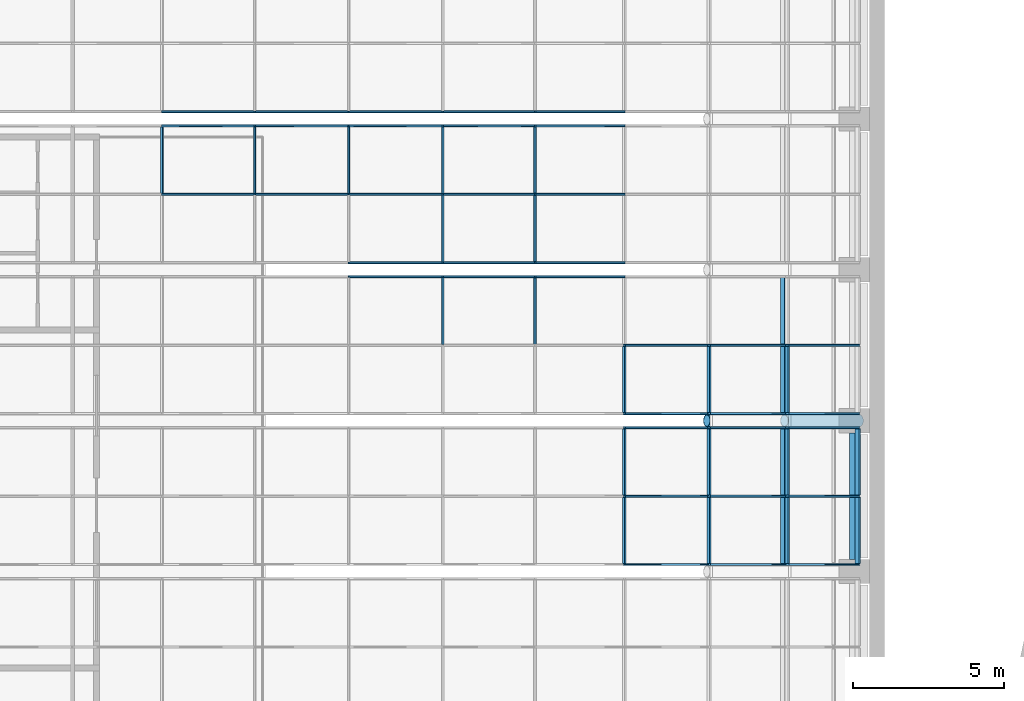
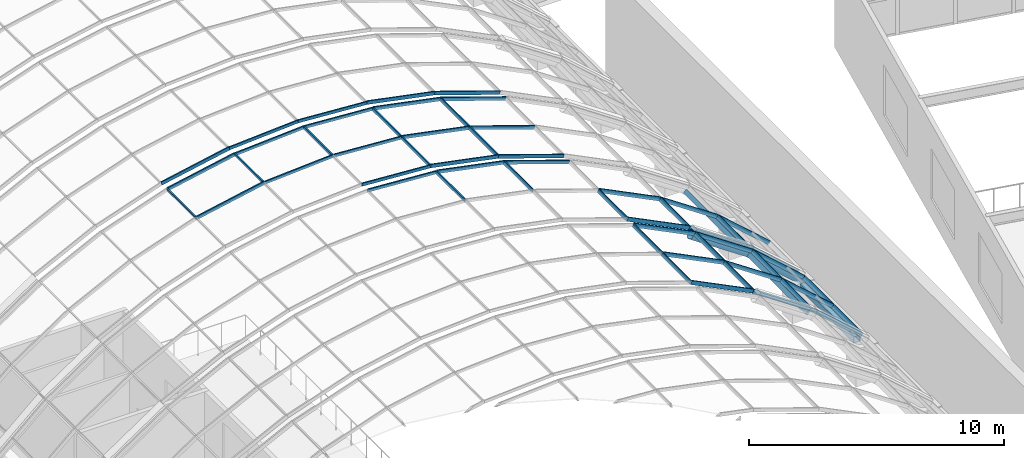
# One storey, part 53 of 182: 60 members, 1 beam, 4 elements without a shape of their own.
"""IFC4 building model written with IfcOpenShell, lengths in metres."""

from ifc_helpers import new_model, si_unit, direction, frame, origin, origin_2d, place, context, subcontext, project, spatial, rectangle, hollow_rectangle, hollow_circle, extrude, material, material_profile, profile_set, type_object, element, aggregate, save


model = new_model("IFC4")

# Units and contexts
model_context = context("Model", 3, precision=1e-05, world=origin(), true_north=direction((0.0, 1.0)))
body_context = subcontext(model_context, "Body", "Model", "MODEL_VIEW")
ifc_project = project(units=[si_unit("LENGTHUNIT", "METRE"), si_unit("AREAUNIT", "SQUARE_METRE"), si_unit("VOLUMEUNIT", "CUBIC_METRE"), si_unit("PLANEANGLEUNIT", "RADIAN"), si_unit("MASSUNIT", "GRAM", prefix="KILO")], contexts=[model_context])

# Site, building, storey
site_placement = place(None, origin())
site = spatial("IfcSite", under=ifc_project, at=site_placement, CompositionType="ELEMENT")
building_placement = place(site_placement, origin())
building = spatial("IfcBuilding", under=site, at=building_placement, Name="Okhra Congress Centre", CompositionType="ELEMENT")
storey_placement = place(building_placement, frame((0.0, 0.0, 7.199951171875)))
storey = spatial("IfcBuildingStorey", under=building, at=storey_placement, Name="L01", CompositionType="ELEMENT", Elevation=7.199951171875)

# Curtain wall, member
ifc_material_1 = material(Name="Aluminium frame with triple glazing", Category="aluminium")
curtain_wall_type = type_object("IfcCurtainWallType", Name="Glazed vault bay curtain wall", PredefinedType="NOTDEFINED", material=ifc_material_1)
curtain_wall_1_placement = place(storey_placement, origin())
curtain_wall_1 = element("IfcCurtainWall", 1, at=curtain_wall_1_placement, inside=storey, type_object=curtain_wall_type, Name="Vault glazing bay 11", PredefinedType="NOTDEFINED")
ifc_material_2 = material(Name="Aluminium alloy 6063", Category="aluminium")
ifc_material_profile_1 = material_profile(ifc_material_2, rectangle(XDim=0.06005859375, YDim=0.139892578125, at=origin_2d()), Name="AL 60x140")
ifc_profile_set_1 = profile_set([ifc_material_profile_1], Name="Aluminium alloy 6063")
member_type_1 = type_object("IfcMemberType", Name="Aluminium mullion 60x140", PredefinedType="MULLION", material=ifc_profile_set_1)
member_1_placement = place(storey_placement, frame((172.25, 130.766845703125, 8.945068359375), z_axis=(0.997826129775, 0.0, -0.065901553385), x_axis=(0.0, 1.0, 0.0)))
member_1 = element("IfcMember", 2, at=member_1_placement, type_object=member_type_1, Name="Vault mullion 11.3.7", PredefinedType="MULLION", context=body_context, shape_type="SweptSolid", body=[
    extrude(rectangle(XDim=0.06005859375, YDim=0.139892578125, at=origin_2d()), origin(), (0.0, 0.0, 1.0), 3.123046875),
])

# Curtain wall, members
curtain_wall_2_placement = place(storey_placement, origin())
curtain_wall_2 = element("IfcCurtainWall", 3, at=curtain_wall_2_placement, inside=storey, type_object=curtain_wall_type, Name="Vault glazing bay 12", PredefinedType="NOTDEFINED")
member_2_placement = place(storey_placement, frame((172.25, 131.233154296875, 8.945068359375), z_axis=(0.997826129775, 0.0, -0.065901553385), x_axis=(0.0, 1.0, 0.0)))
member_2 = element("IfcMember", 4, at=member_2_placement, type_object=member_type_1, Name="Vault mullion 12.1.7", PredefinedType="MULLION", context=body_context, shape_type="SweptSolid", body=[
    extrude(rectangle(XDim=0.06005859375, YDim=0.139892578125, at=origin_2d()), origin(), (0.0, 0.0, 1.0), 3.123046875),
])
member_3_placement = place(storey_placement, frame((169.1337890625, 133.5, 8.7392578125), z_axis=(0.997826129775, 0.0, 0.065901553385), x_axis=(0.0, 1.0, 0.0)))
member_3 = element("IfcMember", 5, at=member_3_placement, type_object=member_type_1, Name="Vault mullion 12.2.6", PredefinedType="MULLION", context=body_context, shape_type="SweptSolid", body=[
    extrude(rectangle(XDim=0.06005859375, YDim=0.139892578125, at=origin_2d()), origin(), (0.0, 0.0, 1.0), 3.123046875),
])
member_4_placement = place(storey_placement, frame((172.25, 133.5, 8.945068359375), z_axis=(0.997826129775, 0.0, -0.065901553385), x_axis=(0.0, 1.0, 0.0)))
member_4 = element("IfcMember", 6, at=member_4_placement, type_object=member_type_1, Name="Vault mullion 12.2.7", PredefinedType="MULLION", context=body_context, shape_type="SweptSolid", body=[
    extrude(rectangle(XDim=0.06005859375, YDim=0.139892578125, at=origin_2d()), origin(), (0.0, 0.0, 1.0), 3.123046875),
])
member_5_placement = place(storey_placement, frame((169.1337890625, 135.766845703125, 8.7392578125), z_axis=(0.997826129775, 0.0, 0.065901553385), x_axis=(0.0, 1.0, 0.0)))
member_5 = element("IfcMember", 7, at=member_5_placement, type_object=member_type_1, Name="Vault mullion 12.3.6", PredefinedType="MULLION", context=body_context, shape_type="SweptSolid", body=[
    extrude(rectangle(XDim=0.06005859375, YDim=0.139892578125, at=origin_2d()), origin(), (0.0, 0.0, 1.0), 3.123046875),
])
member_6_placement = place(storey_placement, frame((172.25, 135.766845703125, 8.945068359375), z_axis=(0.997826129775, 0.0, -0.065901553385), x_axis=(0.0, 1.0, 0.0)))
member_6 = element("IfcMember", 8, at=member_6_placement, type_object=member_type_1, Name="Vault mullion 12.3.7", PredefinedType="MULLION", context=body_context, shape_type="SweptSolid", body=[
    extrude(rectangle(XDim=0.06005859375, YDim=0.139892578125, at=origin_2d()), origin(), (0.0, 0.0, 1.0), 3.123046875),
])

curtain_wall_3_placement = place(storey_placement, origin())
curtain_wall_3 = element("IfcCurtainWall", 9, at=curtain_wall_3_placement, inside=storey, type_object=curtain_wall_type, Name="Vault glazing bay 13", PredefinedType="NOTDEFINED")
member_7_placement = place(storey_placement, frame((169.1337890625, 136.233154296875, 8.7392578125), z_axis=(0.997826129775, 0.0, 0.065901553385), x_axis=(0.0, 1.0, 0.0)))
member_7 = element("IfcMember", 10, at=member_7_placement, type_object=member_type_1, Name="Vault mullion 13.1.6", PredefinedType="MULLION", context=body_context, shape_type="SweptSolid", body=[
    extrude(rectangle(XDim=0.06005859375, YDim=0.139892578125, at=origin_2d()), origin(), (0.0, 0.0, 1.0), 3.123046875),
])
member_8_placement = place(storey_placement, frame((172.25, 136.233154296875, 8.945068359375), z_axis=(0.997826129775, 0.0, -0.065901553385), x_axis=(0.0, 1.0, 0.0)))
member_8 = element("IfcMember", 11, at=member_8_placement, type_object=member_type_1, Name="Vault mullion 13.1.7", PredefinedType="MULLION", context=body_context, shape_type="SweptSolid", body=[
    extrude(rectangle(XDim=0.06005859375, YDim=0.139892578125, at=origin_2d()), origin(), (0.0, 0.0, 1.0), 3.123046875),
])

# Member
ifc_material_profile_2 = material_profile(ifc_material_2, rectangle(XDim=0.06005859375, YDim=0.159912109375, at=origin_2d()), Name="AL 60x160")
ifc_profile_set_2 = profile_set([ifc_material_profile_2], Name="Aluminium alloy 6063")
member_type_2 = type_object("IfcMemberType", Name="Aluminium mullion 60x160", PredefinedType="MULLION", material=ifc_profile_set_2)
member_9_placement = place(storey_placement, frame((175.367431640625, 130.766845703125, 8.7490234375), z_axis=(0.980484387086, 0.0, -0.196596965087), x_axis=(0.0, 1.0, 0.0)))
member_9 = element("IfcMember", 12, at=member_9_placement, type_object=member_type_2, Name="Vault mullion 11.3.8", PredefinedType="MULLION", context=body_context, shape_type="SweptSolid", body=[
    extrude(rectangle(XDim=0.06005859375, YDim=0.159912109375, at=origin_2d()), origin(), (0.0, 0.0, 1.0), 3.12451171875),
])

member_10_placement = place(storey_placement, frame((178.430908203125, 130.766845703125, 8.134765625), z_axis=(0.946065064306, 0.0, -0.323976687587), x_axis=(0.0, 1.0, 0.0)))
member_10 = element("IfcMember", 13, at=member_10_placement, type_object=member_type_2, Name="Vault mullion 11.3.9", PredefinedType="MULLION", context=body_context, shape_type="SweptSolid", body=[
    extrude(rectangle(XDim=0.06005859375, YDim=0.159912109375, at=origin_2d()), origin(), (0.0, 0.0, 1.0), 3.124267578125),
])

member_11_placement = place(storey_placement, frame((175.367431640625, 131.233154296875, 8.7490234375), z_axis=(0.980484387086, 0.0, -0.196596965087), x_axis=(0.0, 1.0, 0.0)))
member_11 = element("IfcMember", 14, at=member_11_placement, type_object=member_type_2, Name="Vault mullion 12.1.8", PredefinedType="MULLION", context=body_context, shape_type="SweptSolid", body=[
    extrude(rectangle(XDim=0.06005859375, YDim=0.159912109375, at=origin_2d()), origin(), (0.0, 0.0, 1.0), 3.12451171875),
])

member_12_placement = place(storey_placement, frame((178.430908203125, 131.233154296875, 8.134765625), z_axis=(0.946065064306, 0.0, -0.323976687587), x_axis=(0.0, 1.0, 0.0)))
member_12 = element("IfcMember", 15, at=member_12_placement, type_object=member_type_2, Name="Vault mullion 12.1.9", PredefinedType="MULLION", context=body_context, shape_type="SweptSolid", body=[
    extrude(rectangle(XDim=0.06005859375, YDim=0.159912109375, at=origin_2d()), origin(), (0.0, 0.0, 1.0), 3.124267578125),
])

member_13_placement = place(storey_placement, frame((166.069091796875, 133.5, 8.134765625), z_axis=(0.980484387086, 0.0, 0.196596965087), x_axis=(0.0, 1.0, 0.0)))
member_13 = element("IfcMember", 16, at=member_13_placement, type_object=member_type_2, Name="Vault mullion 12.2.5", PredefinedType="MULLION", context=body_context, shape_type="SweptSolid", body=[
    extrude(rectangle(XDim=0.06005859375, YDim=0.159912109375, at=origin_2d()), origin(), (0.0, 0.0, 1.0), 3.12451171875),
])

member_14_placement = place(storey_placement, frame((175.367431640625, 133.5, 8.7490234375), z_axis=(0.980484387086, 0.0, -0.196596965087), x_axis=(0.0, 1.0, 0.0)))
member_14 = element("IfcMember", 17, at=member_14_placement, type_object=member_type_2, Name="Vault mullion 12.2.8", PredefinedType="MULLION", context=body_context, shape_type="SweptSolid", body=[
    extrude(rectangle(XDim=0.06005859375, YDim=0.159912109375, at=origin_2d()), origin(), (0.0, 0.0, 1.0), 3.12451171875),
])

member_15_placement = place(storey_placement, frame((178.430908203125, 133.5, 8.134765625), z_axis=(0.946065064306, 0.0, -0.323976687587), x_axis=(0.0, 1.0, 0.0)))
member_15 = element("IfcMember", 18, at=member_15_placement, type_object=member_type_2, Name="Vault mullion 12.2.9", PredefinedType="MULLION", context=body_context, shape_type="SweptSolid", body=[
    extrude(rectangle(XDim=0.06005859375, YDim=0.159912109375, at=origin_2d()), origin(), (0.0, 0.0, 1.0), 3.124267578125),
])

member_16_placement = place(storey_placement, frame((166.069091796875, 135.766845703125, 8.134765625), z_axis=(0.980484387086, 0.0, 0.196596965087), x_axis=(0.0, 1.0, 0.0)))
member_16 = element("IfcMember", 19, at=member_16_placement, type_object=member_type_2, Name="Vault mullion 12.3.5", PredefinedType="MULLION", context=body_context, shape_type="SweptSolid", body=[
    extrude(rectangle(XDim=0.06005859375, YDim=0.159912109375, at=origin_2d()), origin(), (0.0, 0.0, 1.0), 3.12451171875),
])

member_17_placement = place(storey_placement, frame((175.367431640625, 135.766845703125, 8.7490234375), z_axis=(0.980484387086, 0.0, -0.196596965087), x_axis=(0.0, 1.0, 0.0)))
member_17 = element("IfcMember", 20, at=member_17_placement, type_object=member_type_2, Name="Vault mullion 12.3.8", PredefinedType="MULLION", context=body_context, shape_type="SweptSolid", body=[
    extrude(rectangle(XDim=0.06005859375, YDim=0.159912109375, at=origin_2d()), origin(), (0.0, 0.0, 1.0), 3.12451171875),
])

member_18_placement = place(storey_placement, frame((178.430908203125, 135.766845703125, 8.134765625), z_axis=(0.946065064306, 0.0, -0.323976687587), x_axis=(0.0, 1.0, 0.0)))
member_18 = element("IfcMember", 21, at=member_18_placement, type_object=member_type_2, Name="Vault mullion 12.3.9", PredefinedType="MULLION", context=body_context, shape_type="SweptSolid", body=[
    extrude(rectangle(XDim=0.06005859375, YDim=0.159912109375, at=origin_2d()), origin(), (0.0, 0.0, 1.0), 3.124267578125),
])

member_19_placement = place(storey_placement, frame((166.069091796875, 136.233154296875, 8.134765625), z_axis=(0.980484387086, 0.0, 0.196596965087), x_axis=(0.0, 1.0, 0.0)))
member_19 = element("IfcMember", 22, at=member_19_placement, type_object=member_type_2, Name="Vault mullion 13.1.5", PredefinedType="MULLION", context=body_context, shape_type="SweptSolid", body=[
    extrude(rectangle(XDim=0.06005859375, YDim=0.159912109375, at=origin_2d()), origin(), (0.0, 0.0, 1.0), 3.12451171875),
])

member_20_placement = place(storey_placement, frame((175.367431640625, 136.233154296875, 8.7490234375), z_axis=(0.980484387086, 0.0, -0.196596965087), x_axis=(0.0, 1.0, 0.0)))
member_20 = element("IfcMember", 23, at=member_20_placement, type_object=member_type_2, Name="Vault mullion 13.1.8", PredefinedType="MULLION", context=body_context, shape_type="SweptSolid", body=[
    extrude(rectangle(XDim=0.06005859375, YDim=0.159912109375, at=origin_2d()), origin(), (0.0, 0.0, 1.0), 3.12451171875),
])

member_21_placement = place(storey_placement, frame((178.430908203125, 136.233154296875, 8.134765625), z_axis=(0.946065064306, 0.0, -0.323976687587), x_axis=(0.0, 1.0, 0.0)))
member_21 = element("IfcMember", 24, at=member_21_placement, type_object=member_type_2, Name="Vault mullion 13.1.9", PredefinedType="MULLION", context=body_context, shape_type="SweptSolid", body=[
    extrude(rectangle(XDim=0.06005859375, YDim=0.159912109375, at=origin_2d()), origin(), (0.0, 0.0, 1.0), 3.124267578125),
])

aggregate(curtain_wall_3, [member_19, member_7, member_8, member_20, member_21])

# Curtain wall, members
curtain_wall_4_placement = place(storey_placement, origin())
curtain_wall_4 = element("IfcCurtainWall", 25, at=curtain_wall_4_placement, inside=storey, type_object=curtain_wall_type, Name="Vault glazing bay 10", PredefinedType="NOTDEFINED")
ifc_material_profile_3 = material_profile(ifc_material_2, rectangle(XDim=0.06005859375, YDim=0.179931640625, at=origin_2d()), Name="AL 60x180")
ifc_profile_set_3 = profile_set([ifc_material_profile_3], Name="Aluminium alloy 6063")
member_type_3 = type_object("IfcMemberType", Name="Aluminium mullion 60x180", PredefinedType="MULLION", material=ifc_profile_set_3)
member_22_placement = place(storey_placement, frame((181.390625, 121.233154296875, 7.1318359375), z_axis=(0.895253656313, 0.0, -0.445556832354), x_axis=(0.0, 1.0, 0.0)))
member_22 = element("IfcMember", 26, at=member_22_placement, type_object=member_type_3, Name="Vault mullion 10.1.10", PredefinedType="MULLION", context=body_context, shape_type="SweptSolid", body=[
    extrude(rectangle(XDim=0.06005859375, YDim=0.179931640625, at=origin_2d()), origin(), (0.0, 0.0, 1.0), 3.12548828125),
])
member_23_placement = place(storey_placement, frame((184.188720703125, 121.233154296875, 5.7392578125), z_axis=(0.828827846338, 0.0, -0.559503709671), x_axis=(0.0, 1.0, 0.0)))
member_23 = element("IfcMember", 27, at=member_23_placement, type_object=member_type_3, Name="Vault mullion 10.1.11", PredefinedType="MULLION", context=body_context, shape_type="SweptSolid", body=[
    extrude(rectangle(XDim=0.06005859375, YDim=0.179931640625, at=origin_2d()), origin(), (0.0, 0.0, 1.0), 3.12548828125),
])
member_24_placement = place(storey_placement, frame((186.779296875, 121.233154296875, 3.990478515625), z_axis=(0.748025229923, 0.0, -0.663670291183), x_axis=(0.0, 1.0, 0.0)))
member_24 = element("IfcMember", 28, at=member_24_placement, type_object=member_type_3, Name="Vault mullion 10.1.12", PredefinedType="MULLION", context=body_context, shape_type="SweptSolid", body=[
    extrude(rectangle(XDim=0.06005859375, YDim=0.179931640625, at=origin_2d()), origin(), (0.0, 0.0, 1.0), 3.125732421875),
])
member_25_placement = place(storey_placement, frame((181.390625, 123.5, 7.1318359375), z_axis=(0.895253656313, 0.0, -0.445556832354), x_axis=(0.0, 1.0, 0.0)))
member_25 = element("IfcMember", 29, at=member_25_placement, type_object=member_type_3, Name="Vault mullion 10.2.10", PredefinedType="MULLION", context=body_context, shape_type="SweptSolid", body=[
    extrude(rectangle(XDim=0.06005859375, YDim=0.179931640625, at=origin_2d()), origin(), (0.0, 0.0, 1.0), 3.12548828125),
])
member_26_placement = place(storey_placement, frame((184.188720703125, 123.5, 5.7392578125), z_axis=(0.828827846338, 0.0, -0.559503709671), x_axis=(0.0, 1.0, 0.0)))
member_26 = element("IfcMember", 30, at=member_26_placement, type_object=member_type_3, Name="Vault mullion 10.2.11", PredefinedType="MULLION", context=body_context, shape_type="SweptSolid", body=[
    extrude(rectangle(XDim=0.06005859375, YDim=0.179931640625, at=origin_2d()), origin(), (0.0, 0.0, 1.0), 3.12548828125),
])
member_27_placement = place(storey_placement, frame((186.779296875, 123.5, 3.990478515625), z_axis=(0.748025229923, 0.0, -0.663670291183), x_axis=(0.0, 1.0, 0.0)))
member_27 = element("IfcMember", 31, at=member_27_placement, type_object=member_type_3, Name="Vault mullion 10.2.12", PredefinedType="MULLION", context=body_context, shape_type="SweptSolid", body=[
    extrude(rectangle(XDim=0.06005859375, YDim=0.179931640625, at=origin_2d()), origin(), (0.0, 0.0, 1.0), 3.125732421875),
])
member_28_placement = place(storey_placement, frame((181.390625, 125.766845703125, 7.1318359375), z_axis=(0.895253656313, 0.0, -0.445556832354), x_axis=(0.0, 1.0, 0.0)))
member_28 = element("IfcMember", 32, at=member_28_placement, type_object=member_type_3, Name="Vault mullion 10.3.10", PredefinedType="MULLION", context=body_context, shape_type="SweptSolid", body=[
    extrude(rectangle(XDim=0.06005859375, YDim=0.179931640625, at=origin_2d()), origin(), (0.0, 0.0, 1.0), 3.12548828125),
])
member_29_placement = place(storey_placement, frame((184.188720703125, 125.766845703125, 5.7392578125), z_axis=(0.828827846338, 0.0, -0.559503709671), x_axis=(0.0, 1.0, 0.0)))
member_29 = element("IfcMember", 33, at=member_29_placement, type_object=member_type_3, Name="Vault mullion 10.3.11", PredefinedType="MULLION", context=body_context, shape_type="SweptSolid", body=[
    extrude(rectangle(XDim=0.06005859375, YDim=0.179931640625, at=origin_2d()), origin(), (0.0, 0.0, 1.0), 3.12548828125),
])
member_30_placement = place(storey_placement, frame((186.779296875, 125.766845703125, 3.990478515625), z_axis=(0.748025229923, 0.0, -0.663670291183), x_axis=(0.0, 1.0, 0.0)))
member_30 = element("IfcMember", 34, at=member_30_placement, type_object=member_type_3, Name="Vault mullion 10.3.12", PredefinedType="MULLION", context=body_context, shape_type="SweptSolid", body=[
    extrude(rectangle(XDim=0.06005859375, YDim=0.179931640625, at=origin_2d()), origin(), (0.0, 0.0, 1.0), 3.125732421875),
])

# Member
member_31_placement = place(storey_placement, frame((181.390625, 126.233154296875, 7.1318359375), z_axis=(0.895253656313, 0.0, -0.445556832354), x_axis=(0.0, 1.0, 0.0)))
member_31 = element("IfcMember", 35, at=member_31_placement, type_object=member_type_3, Name="Vault mullion 11.1.10", PredefinedType="MULLION", context=body_context, shape_type="SweptSolid", body=[
    extrude(rectangle(XDim=0.06005859375, YDim=0.179931640625, at=origin_2d()), origin(), (0.0, 0.0, 1.0), 3.12548828125),
])

member_32_placement = place(storey_placement, frame((184.188720703125, 126.233154296875, 5.7392578125), z_axis=(0.828827846338, 0.0, -0.559503709671), x_axis=(0.0, 1.0, 0.0)))
member_32 = element("IfcMember", 36, at=member_32_placement, type_object=member_type_3, Name="Vault mullion 11.1.11", PredefinedType="MULLION", context=body_context, shape_type="SweptSolid", body=[
    extrude(rectangle(XDim=0.06005859375, YDim=0.179931640625, at=origin_2d()), origin(), (0.0, 0.0, 1.0), 3.12548828125),
])

member_33_placement = place(storey_placement, frame((186.779296875, 126.233154296875, 3.990478515625), z_axis=(0.748025229923, 0.0, -0.663670291183), x_axis=(0.0, 1.0, 0.0)))
member_33 = element("IfcMember", 37, at=member_33_placement, type_object=member_type_3, Name="Vault mullion 11.1.12", PredefinedType="MULLION", context=body_context, shape_type="SweptSolid", body=[
    extrude(rectangle(XDim=0.06005859375, YDim=0.179931640625, at=origin_2d()), origin(), (0.0, 0.0, 1.0), 3.125732421875),
])

member_34_placement = place(storey_placement, frame((181.390625, 128.5, 7.1318359375), z_axis=(0.895253656313, 0.0, -0.445556832354), x_axis=(0.0, 1.0, 0.0)))
member_34 = element("IfcMember", 38, at=member_34_placement, type_object=member_type_3, Name="Vault mullion 11.2.10", PredefinedType="MULLION", context=body_context, shape_type="SweptSolid", body=[
    extrude(rectangle(XDim=0.06005859375, YDim=0.179931640625, at=origin_2d()), origin(), (0.0, 0.0, 1.0), 3.12548828125),
])

member_35_placement = place(storey_placement, frame((184.188720703125, 128.5, 5.7392578125), z_axis=(0.828827846338, 0.0, -0.559503709671), x_axis=(0.0, 1.0, 0.0)))
member_35 = element("IfcMember", 39, at=member_35_placement, type_object=member_type_3, Name="Vault mullion 11.2.11", PredefinedType="MULLION", context=body_context, shape_type="SweptSolid", body=[
    extrude(rectangle(XDim=0.06005859375, YDim=0.179931640625, at=origin_2d()), origin(), (0.0, 0.0, 1.0), 3.12548828125),
])

member_36_placement = place(storey_placement, frame((186.779296875, 128.5, 3.990478515625), z_axis=(0.748025229923, 0.0, -0.663670291183), x_axis=(0.0, 1.0, 0.0)))
member_36 = element("IfcMember", 40, at=member_36_placement, type_object=member_type_3, Name="Vault mullion 11.2.12", PredefinedType="MULLION", context=body_context, shape_type="SweptSolid", body=[
    extrude(rectangle(XDim=0.06005859375, YDim=0.179931640625, at=origin_2d()), origin(), (0.0, 0.0, 1.0), 3.125732421875),
])

ifc_material_profile_4 = material_profile(ifc_material_2, rectangle(XDim=0.06005859375, YDim=0.139892578125, at=origin_2d()), Name="AL 60x140 transom")
ifc_profile_set_4 = profile_set([ifc_material_profile_4], Name="Aluminium alloy 6063")
member_type_4 = type_object("IfcMemberType", Name="Aluminium transom 60x140", PredefinedType="USERDEFINED", material=ifc_profile_set_4)
member_37_placement = place(storey_placement, frame((175.3662109375, 128.530029296875, 8.7392578125), z_axis=(0.0, 1.0, 0.0), x_axis=(-0.991307202734, 0.0, 0.131567586459)))
member_37 = element("IfcMember", 41, at=member_37_placement, type_object=member_type_4, Name="Vault transom 11.2.8", ObjectType="TRANSOM", PredefinedType="USERDEFINED", context=body_context, shape_type="SweptSolid", body=[
    extrude(rectangle(XDim=0.06005859375, YDim=0.139892578125, at=origin_2d()), origin(), (0.0, 0.0, 1.0), 2.206787109375),
])

member_38_placement = place(storey_placement, frame((175.3662109375, 131.26318359375, 8.7392578125), z_axis=(0.0, 1.0, 0.0), x_axis=(-0.991307202734, 0.0, 0.131567586459)))
member_38 = element("IfcMember", 42, at=member_38_placement, type_object=member_type_4, Name="Vault transom 12.1.8", ObjectType="TRANSOM", PredefinedType="USERDEFINED", context=body_context, shape_type="SweptSolid", body=[
    extrude(rectangle(XDim=0.06005859375, YDim=0.139892578125, at=origin_2d()), origin(), (0.0, 0.0, 1.0), 2.206787109375),
])

member_39_placement = place(storey_placement, frame((169.1337890625, 133.530029296875, 8.7392578125), z_axis=(0.0, 1.0, 0.0), x_axis=(-0.991307202734, 0.0, -0.131567586459)))
member_39 = element("IfcMember", 43, at=member_39_placement, type_object=member_type_4, Name="Vault transom 12.2.6", ObjectType="TRANSOM", PredefinedType="USERDEFINED", context=body_context, shape_type="SweptSolid", body=[
    extrude(rectangle(XDim=0.06005859375, YDim=0.139892578125, at=origin_2d()), origin(), (0.0, 0.0, 1.0), 2.206787109375),
])

member_40_placement = place(storey_placement, frame((172.25, 133.530029296875, 8.945068359375), z_axis=(0.0, 1.0, 0.0), x_axis=(-1.0, 0.0, 0.0)))
member_40 = element("IfcMember", 44, at=member_40_placement, type_object=member_type_4, Name="Vault transom 12.2.7", ObjectType="TRANSOM", PredefinedType="USERDEFINED", context=body_context, shape_type="SweptSolid", body=[
    extrude(rectangle(XDim=0.06005859375, YDim=0.139892578125, at=origin_2d()), origin(), (0.0, 0.0, 1.0), 2.206787109375),
])

member_41_placement = place(storey_placement, frame((175.3662109375, 133.530029296875, 8.7392578125), z_axis=(0.0, 1.0, 0.0), x_axis=(-0.991307202734, 0.0, 0.131567586459)))
member_41 = element("IfcMember", 45, at=member_41_placement, type_object=member_type_4, Name="Vault transom 12.2.8", ObjectType="TRANSOM", PredefinedType="USERDEFINED", context=body_context, shape_type="SweptSolid", body=[
    extrude(rectangle(XDim=0.06005859375, YDim=0.139892578125, at=origin_2d()), origin(), (0.0, 0.0, 1.0), 2.206787109375),
])

ifc_material_profile_5 = material_profile(ifc_material_2, rectangle(XDim=0.06005859375, YDim=0.159912109375, at=origin_2d()), Name="AL 60x160 transom")
ifc_profile_set_5 = profile_set([ifc_material_profile_5], Name="Aluminium alloy 6063")
member_type_5 = type_object("IfcMemberType", Name="Aluminium transom 60x160", PredefinedType="USERDEFINED", material=ifc_profile_set_5)
member_42_placement = place(storey_placement, frame((181.38671875, 121.26318359375, 7.12255859375), z_axis=(0.0, 1.0, 0.0), x_axis=(-0.922668973833, 0.0, 0.38559300399)))
member_42 = element("IfcMember", 46, at=member_42_placement, type_object=member_type_5, Name="Vault transom 10.1.10", ObjectType="TRANSOM", PredefinedType="USERDEFINED", context=body_context, shape_type="SweptSolid", body=[
    extrude(rectangle(XDim=0.06005859375, YDim=0.159912109375, at=origin_2d()), origin(), (0.0, 0.0, 1.0), 2.206787109375),
])

member_43_placement = place(storey_placement, frame((181.38671875, 123.530029296875, 7.12255859375), z_axis=(0.0, 1.0, 0.0), x_axis=(-0.922668973833, 0.0, 0.38559300399)))
member_43 = element("IfcMember", 47, at=member_43_placement, type_object=member_type_5, Name="Vault transom 10.2.10", ObjectType="TRANSOM", PredefinedType="USERDEFINED", context=body_context, shape_type="SweptSolid", body=[
    extrude(rectangle(XDim=0.06005859375, YDim=0.159912109375, at=origin_2d()), origin(), (0.0, 0.0, 1.0), 2.206787109375),
])

member_44_placement = place(storey_placement, frame((181.38671875, 126.26318359375, 7.12255859375), z_axis=(0.0, 1.0, 0.0), x_axis=(-0.922668973833, 0.0, 0.38559300399)))
member_44 = element("IfcMember", 48, at=member_44_placement, type_object=member_type_5, Name="Vault transom 11.1.10", ObjectType="TRANSOM", PredefinedType="USERDEFINED", context=body_context, shape_type="SweptSolid", body=[
    extrude(rectangle(XDim=0.06005859375, YDim=0.159912109375, at=origin_2d()), origin(), (0.0, 0.0, 1.0), 2.206787109375),
])

member_45_placement = place(storey_placement, frame((178.430908203125, 128.530029296875, 8.134765625), z_axis=(0.0, 1.0, 0.0), x_axis=(-0.965379940391, 0.0, 0.260847792191)))
member_45 = element("IfcMember", 49, at=member_45_placement, type_object=member_type_5, Name="Vault transom 11.2.9", ObjectType="TRANSOM", PredefinedType="USERDEFINED", context=body_context, shape_type="SweptSolid", body=[
    extrude(rectangle(XDim=0.06005859375, YDim=0.159912109375, at=origin_2d()), origin(), (0.0, 0.0, 1.0), 2.206787109375),
])

member_46_placement = place(storey_placement, frame((178.430908203125, 131.26318359375, 8.134765625), z_axis=(0.0, 1.0, 0.0), x_axis=(-0.965379940391, 0.0, 0.260847792191)))
member_46 = element("IfcMember", 50, at=member_46_placement, type_object=member_type_5, Name="Vault transom 12.1.9", ObjectType="TRANSOM", PredefinedType="USERDEFINED", context=body_context, shape_type="SweptSolid", body=[
    extrude(rectangle(XDim=0.06005859375, YDim=0.159912109375, at=origin_2d()), origin(), (0.0, 0.0, 1.0), 2.206787109375),
])

member_47_placement = place(storey_placement, frame((166.069091796875, 133.530029296875, 8.134765625), z_axis=(0.0, 1.0, 0.0), x_axis=(-0.965379940391, 0.0, -0.260847792191)))
member_47 = element("IfcMember", 51, at=member_47_placement, type_object=member_type_5, Name="Vault transom 12.2.5", ObjectType="TRANSOM", PredefinedType="USERDEFINED", context=body_context, shape_type="SweptSolid", body=[
    extrude(rectangle(XDim=0.06005859375, YDim=0.159912109375, at=origin_2d()), origin(), (0.0, 0.0, 1.0), 2.206787109375),
])

member_48_placement = place(storey_placement, frame((178.430908203125, 133.530029296875, 8.134765625), z_axis=(0.0, 1.0, 0.0), x_axis=(-0.965379940391, 0.0, 0.260847792191)))
member_48 = element("IfcMember", 52, at=member_48_placement, type_object=member_type_5, Name="Vault transom 12.2.9", ObjectType="TRANSOM", PredefinedType="USERDEFINED", context=body_context, shape_type="SweptSolid", body=[
    extrude(rectangle(XDim=0.06005859375, YDim=0.159912109375, at=origin_2d()), origin(), (0.0, 0.0, 1.0), 2.206787109375),
])

aggregate(curtain_wall_2, [member_2, member_11, member_12, member_13, member_3, member_4, member_14, member_15, member_16, member_5, member_6, member_17, member_18, member_38, member_46, member_47, member_39, member_40, member_41, member_48])

ifc_material_profile_6 = material_profile(ifc_material_2, rectangle(XDim=0.06005859375, YDim=0.179931640625, at=origin_2d()), Name="AL 60x180 transom")
ifc_profile_set_6 = profile_set([ifc_material_profile_6], Name="Aluminium alloy 6063")
member_type_6 = type_object("IfcMemberType", Name="Aluminium transom 60x180", PredefinedType="USERDEFINED", material=ifc_profile_set_6)
member_49_placement = place(storey_placement, frame((184.188720703125, 121.26318359375, 5.7392578125), z_axis=(0.0, 1.0, 0.0), x_axis=(-0.86391685861, 0.0, 0.503634452167)))
member_49 = element("IfcMember", 53, at=member_49_placement, type_object=member_type_6, Name="Vault transom 10.1.11", ObjectType="TRANSOM", PredefinedType="USERDEFINED", context=body_context, shape_type="SweptSolid", body=[
    extrude(rectangle(XDim=0.06005859375, YDim=0.179931640625, at=origin_2d()), origin(), (0.0, 0.0, 1.0), 2.206787109375),
])

member_50_placement = place(storey_placement, frame((186.779296875, 121.26318359375, 3.990478515625), z_axis=(0.0, 1.0, 0.0), x_axis=(-0.790145035185, 0.0, 0.612919915954)))
member_50 = element("IfcMember", 54, at=member_50_placement, type_object=member_type_6, Name="Vault transom 10.1.12", ObjectType="TRANSOM", PredefinedType="USERDEFINED", context=body_context, shape_type="SweptSolid", body=[
    extrude(rectangle(XDim=0.06005859375, YDim=0.179931640625, at=origin_2d()), origin(), (0.0, 0.0, 1.0), 2.206787109375),
])

member_51_placement = place(storey_placement, frame((189.117431640625, 121.26318359375, 1.916015625), z_axis=(0.0, 1.0, 0.0), x_axis=(-0.702636070549, 0.0, 0.711549402616)))
member_51 = element("IfcMember", 55, at=member_51_placement, type_object=member_type_6, Name="Vault transom 10.1.13", ObjectType="TRANSOM", PredefinedType="USERDEFINED", context=body_context, shape_type="SweptSolid", body=[
    extrude(rectangle(XDim=0.06005859375, YDim=0.179931640625, at=origin_2d()), origin(), (0.0, 0.0, 1.0), 2.206787109375),
])

member_52_placement = place(storey_placement, frame((184.188720703125, 123.530029296875, 5.7392578125), z_axis=(0.0, 1.0, 0.0), x_axis=(-0.86391685861, 0.0, 0.503634452167)))
member_52 = element("IfcMember", 56, at=member_52_placement, type_object=member_type_6, Name="Vault transom 10.2.11", ObjectType="TRANSOM", PredefinedType="USERDEFINED", context=body_context, shape_type="SweptSolid", body=[
    extrude(rectangle(XDim=0.06005859375, YDim=0.179931640625, at=origin_2d()), origin(), (0.0, 0.0, 1.0), 2.206787109375),
])

member_53_placement = place(storey_placement, frame((186.779296875, 123.530029296875, 3.990478515625), z_axis=(0.0, 1.0, 0.0), x_axis=(-0.790145035185, 0.0, 0.612919915954)))
member_53 = element("IfcMember", 57, at=member_53_placement, type_object=member_type_6, Name="Vault transom 10.2.12", ObjectType="TRANSOM", PredefinedType="USERDEFINED", context=body_context, shape_type="SweptSolid", body=[
    extrude(rectangle(XDim=0.06005859375, YDim=0.179931640625, at=origin_2d()), origin(), (0.0, 0.0, 1.0), 2.206787109375),
])

member_54_placement = place(storey_placement, frame((189.117431640625, 123.530029296875, 1.916015625), z_axis=(0.0, 1.0, 0.0), x_axis=(-0.702636070549, 0.0, 0.711549402616)))
member_54 = element("IfcMember", 58, at=member_54_placement, type_object=member_type_6, Name="Vault transom 10.2.13", ObjectType="TRANSOM", PredefinedType="USERDEFINED", context=body_context, shape_type="SweptSolid", body=[
    extrude(rectangle(XDim=0.06005859375, YDim=0.179931640625, at=origin_2d()), origin(), (0.0, 0.0, 1.0), 2.206787109375),
])

aggregate(curtain_wall_4, [member_22, member_23, member_24, member_25, member_26, member_27, member_28, member_29, member_30, member_42, member_49, member_50, member_51, member_43, member_52, member_53, member_54])

member_55_placement = place(storey_placement, frame((184.188720703125, 126.26318359375, 5.7392578125), z_axis=(0.0, 1.0, 0.0), x_axis=(-0.86391685861, 0.0, 0.503634452167)))
member_55 = element("IfcMember", 59, at=member_55_placement, type_object=member_type_6, Name="Vault transom 11.1.11", ObjectType="TRANSOM", PredefinedType="USERDEFINED", context=body_context, shape_type="SweptSolid", body=[
    extrude(rectangle(XDim=0.06005859375, YDim=0.179931640625, at=origin_2d()), origin(), (0.0, 0.0, 1.0), 2.206787109375),
])

member_56_placement = place(storey_placement, frame((186.779296875, 126.26318359375, 3.990478515625), z_axis=(0.0, 1.0, 0.0), x_axis=(-0.790145035185, 0.0, 0.612919915954)))
member_56 = element("IfcMember", 60, at=member_56_placement, type_object=member_type_6, Name="Vault transom 11.1.12", ObjectType="TRANSOM", PredefinedType="USERDEFINED", context=body_context, shape_type="SweptSolid", body=[
    extrude(rectangle(XDim=0.06005859375, YDim=0.179931640625, at=origin_2d()), origin(), (0.0, 0.0, 1.0), 2.206787109375),
])

aggregate(curtain_wall_1, [member_31, member_32, member_33, member_34, member_35, member_36, member_1, member_9, member_10, member_44, member_55, member_56, member_37, member_45])

# Beam
ifc_material_3 = material(Name="Steel S355J2", Category="steel")
ifc_material_profile_7 = material_profile(ifc_material_3, hollow_rectangle(XDim=0.300048828125, YDim=0.300048828125, WallThickness=0.012451171875, at=origin_2d()), Name="RHS 300x300x12.5")
ifc_profile_set_7 = profile_set([ifc_material_profile_7], Name="Steel S355J2")
beam_type = type_object("IfcBeamType", Name="Steel eaves beam RHS 300x300x12.5", PredefinedType="BEAM", material=ifc_profile_set_7)
beam_placement = place(storey_placement, frame((189.0, 121.39990234375, 1.650146484375), z_axis=(0.0, 1.0, 0.0), x_axis=(-1.0, 0.0, 0.0)))
element("IfcBeam", 61, at=beam_placement, inside=storey, type_object=beam_type, Name="Eaves beam E10", PredefinedType="BEAM", context=body_context, shape_type="SweptSolid", body=[
    extrude(hollow_rectangle(XDim=0.300048828125, YDim=0.300048828125, WallThickness=0.012451171875, at=origin_2d()), origin(), (0.0, 0.0, 1.0), 4.2001953125),
])

# Members
ifc_material_profile_8 = material_profile(ifc_material_3, hollow_rectangle(XDim=0.10009765625, YDim=0.199951171875, WallThickness=0.008056640625, at=origin_2d()), Name="RHS 200x100x8")
ifc_profile_set_8 = profile_set([ifc_material_profile_8], Name="Steel S355J2")
member_type_7 = type_object("IfcMemberType", Name="Steel purlin RHS 200x100x8", PredefinedType="PURLIN", material=ifc_profile_set_8)
for number, where, z_axis, x_axis, name in (
    (62, (186.662841796875, 121.203125, 3.84033203125), (0.0, 1.0, 0.0), (-0.790145035185, 0.0, 0.612919915954), "Vault purlin 10.11"),
    (63, (186.662841796875, 126.203125, 3.84033203125), (0.0, 1.0, 0.0), (-0.790145035185, 0.0, 0.612919915954), "Vault purlin 11.11"),
):
    element("IfcMember", number, at=place(storey_placement, frame(where, z_axis=z_axis, x_axis=x_axis)), inside=storey, type_object=member_type_7, Name=name, PredefinedType="PURLIN", context=body_context, shape_type="SweptSolid", body=[
        extrude(hollow_rectangle(XDim=0.10009765625, YDim=0.199951171875, WallThickness=0.008056640625, at=origin_2d()), origin(), (0.0, 0.0, 1.0), 4.59375),
    ])
ifc_material_profile_9 = material_profile(ifc_material_3, hollow_circle(Radius=0.203125, WallThickness=0.01611328125, at=origin_2d()), Name="CHS 406.4x16")
ifc_profile_set_9 = profile_set([ifc_material_profile_9], Name="Steel S355J2")
member_type_8 = type_object("IfcMemberType", Name="Tubular steel arch rib CHS 406x16", PredefinedType="USERDEFINED", material=ifc_profile_set_9)
member_57_placement = place(storey_placement, frame((184.116943359375, 126.0, 5.589111328125), z_axis=(0.82882567543, 0.0, -0.559506925558), x_axis=(0.0, 1.0, 0.0)))
element("IfcMember", 64, at=member_57_placement, inside=storey, type_object=member_type_8, Name="Arch rib 11.11", ObjectType="Arch rib", PredefinedType="USERDEFINED", context=body_context, shape_type="SweptSolid", body=[
    extrude(hollow_circle(Radius=0.203125, WallThickness=0.01611328125, at=origin_2d()), origin(), (0.0, 0.0, 1.0), 3.07666015625),
])
member_58_placement = place(storey_placement, frame((186.6884765625, 126.0, 3.85107421875), z_axis=(0.74799336374, 0.0, -0.663706205938), x_axis=(0.0, 1.0, 0.0)))
element("IfcMember", 65, at=member_58_placement, inside=storey, type_object=member_type_8, Name="Arch rib 11.12", ObjectType="Arch rib", PredefinedType="USERDEFINED", context=body_context, shape_type="SweptSolid", body=[
    extrude(hollow_circle(Radius=0.203125, WallThickness=0.01611328125, at=origin_2d()), origin(), (0.0, 0.0, 1.0), 3.3193359375),
])

save(model, "model.ifc")
